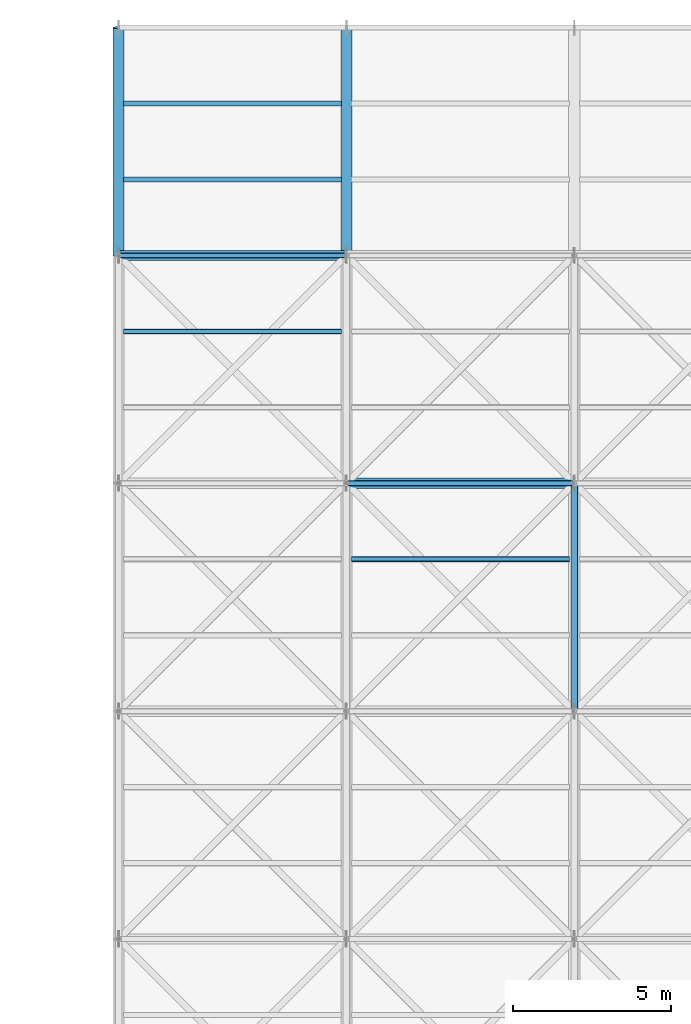
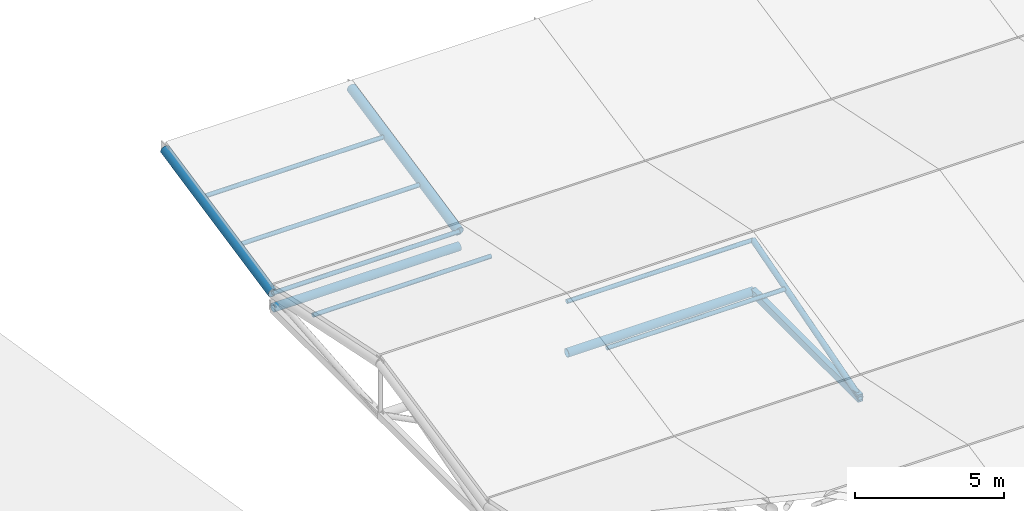
# One storey, part 24 of 72: 9 members, 3 beams.
"""IFC4 building model written with IfcOpenShell, lengths in metres."""

from ifc_helpers import new_model, si_unit, direction, frame, origin, origin_2d, place, context, subcontext, project, spatial, hollow_rectangle, hollow_circle, extrude, material, material_profile, profile_set, type_object, element, save


model = new_model("IFC4")

# Units and contexts
model_context = context("Model", 3, precision=1e-05, world=origin(), true_north=direction((0.0, 1.0)))
body_context = subcontext(model_context, "Body", "Model", "MODEL_VIEW")
ifc_project = project(units=[si_unit("LENGTHUNIT", "METRE"), si_unit("AREAUNIT", "SQUARE_METRE"), si_unit("VOLUMEUNIT", "CUBIC_METRE"), si_unit("PLANEANGLEUNIT", "RADIAN"), si_unit("MASSUNIT", "GRAM", prefix="KILO")], contexts=[model_context])

# Site, building, storey
site_placement = place(None, origin())
site = spatial("IfcSite", under=ifc_project, at=site_placement, CompositionType="ELEMENT")
building_placement = place(site_placement, origin())
building = spatial("IfcBuilding", under=site, at=building_placement, Name="Vaelcorin Mobility Hub", CompositionType="ELEMENT")
storey_placement = place(building_placement, frame((0.0, 0.0, 25.800048828125)))
storey = spatial("IfcBuildingStorey", under=building, at=storey_placement, Name="RF", CompositionType="ELEMENT", Elevation=25.800048828125)

# Members
ifc_material = material(Name="Steel ASTM A500 Grade C", Category="steel")
ifc_material_profile_1 = material_profile(ifc_material, hollow_circle(Radius=0.161865234375, WallThickness=0.0126953125, at=origin_2d()), Name="HSS12.750X0.500")
ifc_profile_set_1 = profile_set([ifc_material_profile_1], Name="Steel ASTM A500 Grade C")
member_type_1 = type_object("IfcMemberType", Name="SF-CHORD-12", PredefinedType="CHORD", material=ifc_profile_set_1)
member_1_placement = place(storey_placement, frame((43.199951171875, 112.800048828125, -2.10009765625), z_axis=(1.0, 0.0, 0.0), x_axis=(0.0, 1.0, 0.0)))
element("IfcMember", 1, at=member_1_placement, inside=storey, type_object=member_type_1, Name="Sports Truss Lower Tie Strut 2-4", PredefinedType="CHORD", context=body_context, shape_type="SweptSolid", body=[
    extrude(hollow_circle(Radius=0.161865234375, WallThickness=0.0126953125, at=origin_2d()), origin(), (0.0, 0.0, 1.0), 7.199951171875),
])
member_2_placement = place(storey_placement, frame((50.39990234375, 105.60009765625, -2.10009765625), z_axis=(1.0, 0.0, 0.0), x_axis=(0.0, 1.0, 0.0)))
element("IfcMember", 2, at=member_2_placement, inside=storey, type_object=member_type_1, Name="Sports Truss Lower Tie Strut 3-3", PredefinedType="CHORD", context=body_context, shape_type="SweptSolid", body=[
    extrude(hollow_circle(Radius=0.161865234375, WallThickness=0.0126953125, at=origin_2d()), origin(), (0.0, 0.0, 1.0), 7.2001953125),
])
ifc_material_profile_2 = material_profile(ifc_material, hollow_circle(Radius=0.084228515625, WallThickness=0.0078125, at=origin_2d()), Name="HSS6.625X0.312")
ifc_profile_set_2 = profile_set([ifc_material_profile_2], Name="Steel ASTM A500 Grade C")
member_type_2 = type_object("IfcMemberType", Name="SF-PURL-6", PredefinedType="PURLIN", material=ifc_profile_set_2)
member_3_placement = place(storey_placement, frame((43.199951171875, 112.800048828125, -1.5), z_axis=(1.0, 0.0, 0.0), x_axis=(0.0, 1.0, 0.0)))
element("IfcMember", 3, at=member_3_placement, inside=storey, type_object=member_type_2, Name="Sports Pavilion Roof Purlin 2-4", PredefinedType="PURLIN", context=body_context, shape_type="SweptSolid", body=[
    extrude(hollow_circle(Radius=0.084228515625, WallThickness=0.0078125, at=origin_2d()), origin(), (0.0, 0.0, 1.0), 7.199951171875),
])
for number, where, z_axis, x_axis, name in (
    (4, (43.360107421875, 110.39990234375, -1.0), (1.0, 0.0, 0.0), (0.0, 1.0, 0.0), "Sports Roof Secondary Purlin 2-4-2"),
    (5, (43.360107421875, 115.199951171875, -1.0), (1.0, 0.0, 0.0), (0.0, 1.0, 0.0), "Sports Roof Secondary Purlin 2-5-1"),
    (6, (43.360107421875, 117.60009765625, -0.5), (1.0, 0.0, 0.0), (0.0, 1.0, 0.0), "Sports Roof Secondary Purlin 2-5-2"),
):
    element("IfcMember", number, at=place(storey_placement, frame(where, z_axis=z_axis, x_axis=x_axis)), inside=storey, type_object=member_type_2, Name=name, PredefinedType="PURLIN", context=body_context, shape_type="SweptSolid", body=[
        extrude(hollow_circle(Radius=0.084228515625, WallThickness=0.0078125, at=origin_2d()), origin(), (0.0, 0.0, 1.0), 6.8798828125),
    ])
member_4_placement = place(storey_placement, frame((50.39990234375, 105.60009765625, 0.0), z_axis=(1.0, 0.0, 0.0), x_axis=(0.0, 1.0, 0.0)))
element("IfcMember", 7, at=member_4_placement, inside=storey, type_object=member_type_2, Name="Sports Pavilion Roof Purlin 3-3", PredefinedType="PURLIN", context=body_context, shape_type="SweptSolid", body=[
    extrude(hollow_circle(Radius=0.084228515625, WallThickness=0.0078125, at=origin_2d()), origin(), (0.0, 0.0, 1.0), 7.2001953125),
])
member_5_placement = place(storey_placement, frame((50.56005859375, 103.199951171875, -0.5), z_axis=(1.0, 0.0, 0.0), x_axis=(0.0, 1.0, 0.0)))
element("IfcMember", 8, at=member_5_placement, inside=storey, type_object=member_type_2, Name="Sports Roof Secondary Purlin 3-3-2", PredefinedType="PURLIN", context=body_context, shape_type="SweptSolid", body=[
    extrude(hollow_circle(Radius=0.084228515625, WallThickness=0.0078125, at=origin_2d()), origin(), (0.0, 0.0, 1.0), 6.8798828125),
])

# Beams
ifc_material_profile_3 = material_profile(ifc_material, hollow_circle(Radius=0.177734375, WallThickness=0.0126953125, at=origin_2d()), Name="HSS14.000X0.500")
ifc_profile_set_3 = profile_set([ifc_material_profile_3], Name="Steel ASTM A500 Grade C")
beam_type_1 = type_object("IfcBeamType", Name="TR-CHORD-14", PredefinedType="BEAM", material=ifc_profile_set_3)
for number, where, z_axis, x_axis, name in (
    (9, (43.199951171875, 112.800048828125, -1.5), (0.0, 0.978980143565, 0.203955579738), (-1.0, 0.0, 0.0), "Sports Pavilion Roof Truss Upper Chord 1-5"),
    (10, (50.39990234375, 112.800048828125, -1.5), (0.0, 0.978980143565, 0.203955579738), (-1.0, 0.0, 0.0), "Sports Pavilion Roof Truss Upper Chord 2-5"),
):
    element("IfcBeam", number, at=place(storey_placement, frame(where, z_axis=z_axis, x_axis=x_axis)), inside=storey, type_object=beam_type_1, Name=name, PredefinedType="BEAM", context=body_context, shape_type="SweptSolid", body=[
        extrude(hollow_circle(Radius=0.177734375, WallThickness=0.0126953125, at=origin_2d()), origin(), (0.0, 0.0, 1.0), 7.3544921875),
    ])
ifc_material_profile_4 = material_profile(ifc_material, hollow_rectangle(XDim=0.203125, YDim=0.3046875, WallThickness=0.01171875, at=origin_2d()), Name="HSS12X8X0.500")
ifc_profile_set_4 = profile_set([ifc_material_profile_4], Name="Steel ASTM A500 Grade C")
beam_type_2 = type_object("IfcBeamType", Name="TR-CHORD-RHS12", PredefinedType="BEAM", material=ifc_profile_set_4)
beam_placement = place(storey_placement, frame((57.60009765625, 98.39990234375, -2.10009765625), z_axis=(0.0, 1.0, 0.0), x_axis=(-1.0, 0.0, 0.0)))
element("IfcBeam", 11, at=beam_placement, inside=storey, type_object=beam_type_2, Name="Sports Pavilion Roof Truss Bottom Chord 3-3", PredefinedType="BEAM", context=body_context, shape_type="SweptSolid", body=[
    extrude(hollow_rectangle(XDim=0.203125, YDim=0.3046875, WallThickness=0.01171875, at=origin_2d()), origin(), (0.0, 0.0, 1.0), 7.2001953125),
])

# Member
ifc_material_profile_5 = material_profile(ifc_material, hollow_circle(Radius=0.109619140625, WallThickness=0.009521484375, at=origin_2d()), Name="HSS8.625X0.375")
ifc_profile_set_5 = profile_set([ifc_material_profile_5], Name="Steel ASTM A500 Grade C")
member_type_3 = type_object("IfcMemberType", Name="TR-WEB-8", PredefinedType="BRACE", material=ifc_profile_set_5)
member_6_placement = place(storey_placement, frame((57.60009765625, 98.39990234375, -2.10009765625), z_axis=(0.0, 0.959998541695, 0.280004999853), x_axis=(-1.0, 0.0, 0.0)))
element("IfcMember", 12, at=member_6_placement, inside=storey, type_object=member_type_3, Name="Sports Pavilion Roof Truss Diagonal 3-3", PredefinedType="BRACE", context=body_context, shape_type="SweptSolid", body=[
    extrude(hollow_circle(Radius=0.109619140625, WallThickness=0.009521484375, at=origin_2d()), origin(), (0.0, 0.0, 1.0), 7.500244140625),
])

save(model, "model.ifc")
